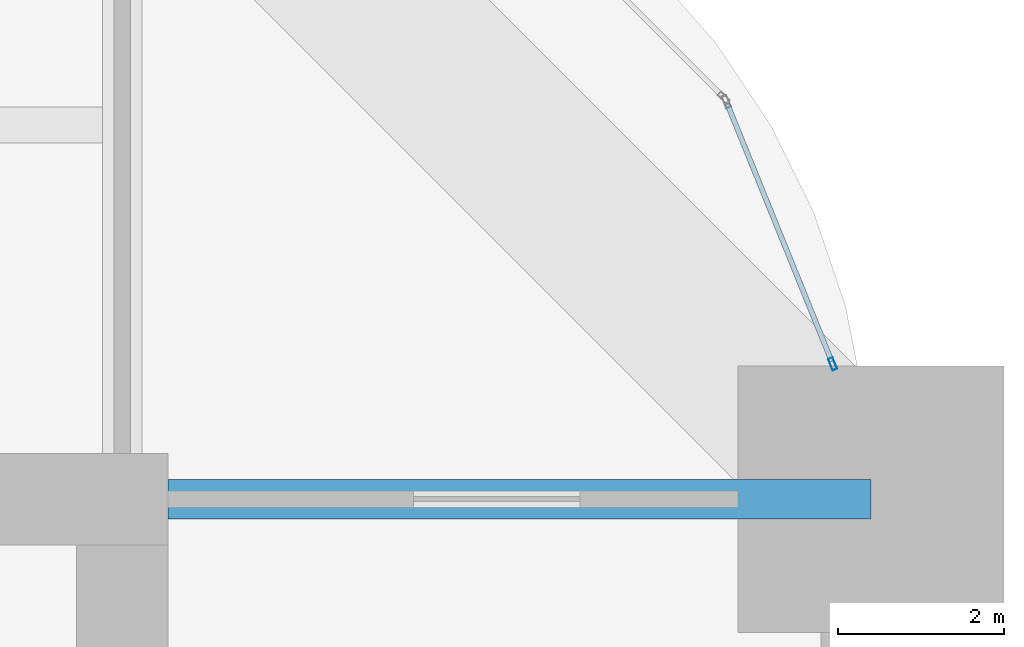
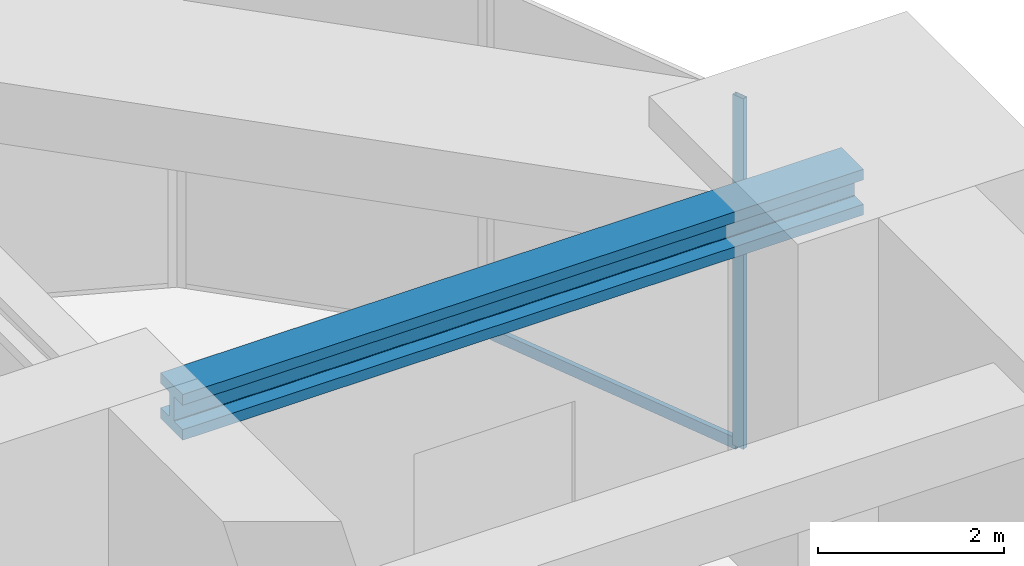
# One storey, part 26 of 32: 2 members, 1 beam, 1 element without a shape of its own.
"""IFC4 building model written with IfcOpenShell, lengths in metres."""

import ifcopenshell
import ifcopenshell.guid

model = None  # the IFC model being written
_history = None  # IfcOwnerHistory: only IFC2X3 demands one
_inside = {}  # id of a spatial element -> (the spatial element, [elements in it])
_under = {}  # id of a project, library or spatial element -> (it, [spatial elements below it])
_declared = {}  # id of a project -> (the project, [libraries it declares])
_typed = {}  # id of a type object -> (the type object, [elements of that type])
_made_of = {}  # id of a material, layer set ... -> (it, [elements and type objects made of it])


def new_model(schema):
    """Start an empty IFC model of exactly this schema.

    Asked for "IFC4X3", IfcOpenShell would pick the latest addendum, in which some entities
    have other attributes; the version numbers below select the first issue.
    IFC2X3 requires an IfcOwnerHistory on every rooted entity: one is made here for all.
    """
    global model, _history
    if schema == "IFC4X3":
        model = ifcopenshell.file(schema_version=(4, 3, 0, 0))
    else:
        model = ifcopenshell.file(schema=schema)
    _inside.clear()
    _under.clear()
    _declared.clear()
    _typed.clear()
    _made_of.clear()
    _history = None
    if model.schema == "IFC2X3":
        org = make("IfcOrganization", Name="unknown")
        user = make(
            "IfcPersonAndOrganization",
            ThePerson=make("IfcPerson", FamilyName="unknown"),
            TheOrganization=org,
        )
        app = make(
            "IfcApplication",
            ApplicationDeveloper=org,
            Version="unknown",
            ApplicationFullName="unknown",
            ApplicationIdentifier="unknown",
        )
        _history = make(
            "IfcOwnerHistory",
            OwningUser=user,
            OwningApplication=app,
            ChangeAction="ADDED",
            CreationDate=0,
        )
    return model


def make(cls, **values):
    """One entity of the class cls with the attributes given. An attribute that is None is left unset."""
    return model.create_entity(
        cls, **{name: value for name, value in values.items() if value is not None}
    )


def rooted(cls, **values):
    """An entity with a GlobalId (a new one), such as an element, a storey or a relation."""
    return make(cls, GlobalId=ifcopenshell.guid.new(), OwnerHistory=_history, **values)


def si_unit(unit_type, name, prefix=None):
    """IfcSIUnit, for example si_unit("LENGTHUNIT", "METRE", prefix="MILLI")."""
    return make("IfcSIUnit", UnitType=unit_type, Prefix=prefix, Name=name)


def assignment(units):
    """IfcUnitAssignment: the units of a project."""
    return None if units is None else make("IfcUnitAssignment", Units=units)


def point(xyz):
    """IfcCartesianPoint."""
    return None if xyz is None else make("IfcCartesianPoint", Coordinates=xyz)


def direction(xyz):
    """IfcDirection."""
    return None if xyz is None else make("IfcDirection", DirectionRatios=xyz)


def frame(location, z_axis=None, x_axis=None):
    """IfcAxis2Placement3D, a coordinate frame: its origin and axes. An axis left out is left unset."""
    return make(
        "IfcAxis2Placement3D",
        Location=point(location),
        Axis=direction(z_axis),
        RefDirection=direction(x_axis),
    )


def frame_2d(location, x_axis=None):
    """IfcAxis2Placement2D, a coordinate frame in the plane: its origin and x axis."""
    return make(
        "IfcAxis2Placement2D", Location=point(location), RefDirection=direction(x_axis)
    )


def origin():
    """The frame at (0, 0, 0) with its axes left unset."""
    return frame((0.0, 0.0, 0.0))


def origin_2d():
    """The frame at (0, 0) in the plane with its x axis left unset."""
    return frame_2d((0.0, 0.0))


def place(relative_to, where):
    """IfcLocalPlacement: puts the frame where relative to a parent placement (None: the world)."""
    return make(
        "IfcLocalPlacement", PlacementRelTo=relative_to, RelativePlacement=where
    )


def context(
    kind, dimensions, precision=None, world=None, true_north=None, identifier=None
):
    """IfcGeometricRepresentationContext, for example the 3D "Model" context."""
    return make(
        "IfcGeometricRepresentationContext",
        ContextIdentifier=identifier,
        ContextType=kind,
        CoordinateSpaceDimension=dimensions,
        Precision=precision,
        WorldCoordinateSystem=world,
        TrueNorth=true_north,
    )


def subcontext(parent, identifier, kind, view, scale=None):
    """IfcGeometricRepresentationSubContext, for example "Body" below "Model"."""
    return make(
        "IfcGeometricRepresentationSubContext",
        ContextIdentifier=identifier,
        ContextType=kind,
        ParentContext=parent,
        TargetScale=scale,
        TargetView=view,
    )


def project(units=None, contexts=None):
    """IfcProject with its units and contexts."""
    return rooted(
        "IfcProject",
        Name="project",
        RepresentationContexts=contexts,
        UnitsInContext=assignment(units),
    )


def spatial(cls, under=None, at=None, **own):
    """A site, building, storey or space (cls), placed at a placement, below another one or the project."""
    s = rooted(cls, ObjectPlacement=at, **own)
    if under is not None:
        _under.setdefault(under.id(), (under, []))[1].append(s)
    return s


def profile(cls, at=None, kind="AREA", **sizes):
    """A parametric profile (cls). Its sizes go by their IFC names, for example OverallWidth=200.0."""
    return make(cls, ProfileType=kind, Position=at, **sizes)


def hollow_rectangle(**sizes):
    """IfcRectangleHollowProfileDef."""
    return profile("IfcRectangleHollowProfileDef", **sizes)


def i_section(**sizes):
    """IfcIShapeProfileDef."""
    return profile("IfcIShapeProfileDef", **sizes)


def extrude(swept, where, along, depth):
    """IfcExtrudedAreaSolid: the profile swept, set in the frame where, extruded along a direction by depth."""
    return make(
        "IfcExtrudedAreaSolid",
        SweptArea=swept,
        Position=where,
        ExtrudedDirection=direction(along),
        Depth=depth,
    )


def shape(context_of_items, identifier, shape_type, items):
    """IfcShapeRepresentation: the items that make up one representation, for example the "Body"."""
    return make(
        "IfcShapeRepresentation",
        ContextOfItems=context_of_items,
        RepresentationIdentifier=identifier,
        RepresentationType=shape_type,
        Items=items,
    )


def material(Name=None, Category=None):
    """IfcMaterial."""
    return make("IfcMaterial", Name=Name, Category=Category)


def material_profile(
    of_material, cross_section, Name=None, Category=None, Priority=None
):
    """IfcMaterialProfile: a cross section and its material."""
    return make(
        "IfcMaterialProfile",
        Name=Name,
        Material=of_material,
        Profile=cross_section,
        Priority=Priority,
        Category=Category,
    )


def profile_set(profiles, Name=None, composite=None):
    """IfcMaterialProfileSet."""
    return make(
        "IfcMaterialProfileSet",
        Name=Name,
        MaterialProfiles=profiles,
        CompositeProfile=composite,
    )


def made_of(thing, what):
    """Note that an element or type object is made of a material, layer set ...; save() writes the relation."""
    if what is not None:
        _made_of.setdefault(what.id(), (what, []))[1].append(thing)
    return thing


def type_object(cls, material=None, **own):
    """A type object (cls), such as IfcWallType, which elements share."""
    return made_of(rooted(cls, **own), material)


def element(
    cls,
    number,
    at=None,
    inside=None,
    cuts=None,
    type_object=None,
    material=None,
    context=None,
    identifier="Body",
    shape_type=None,
    held_by="IfcProductDefinitionShape",
    body=None,
    shapes=None,
    **own,
):
    """One element of the class cls, such as IfcWall. Its Tag is "e" and its number.

    at: its placement. inside: the storey or other place that contains it. cuts: it is an
    opening in that element (IfcRelVoidsElement). A single representation is given by context,
    identifier, shape_type and body (its items); several are given by shapes. held_by: the class
    of the entity that holds the representations. save() writes the other relations.
    """
    e = rooted(cls, Tag="e%d" % number, ObjectPlacement=at, **own)
    if body is not None:
        shapes = [shape(context, identifier, shape_type, body)]
    if shapes is not None:
        e.Representation = make(held_by, Representations=shapes)
    if inside is not None:
        _inside.setdefault(inside.id(), (inside, []))[1].append(e)
    if cuts is not None:
        rooted(
            "IfcRelVoidsElement", RelatingBuildingElement=cuts, RelatedOpeningElement=e
        )
    if type_object is not None:
        _typed.setdefault(type_object.id(), (type_object, []))[1].append(e)
    return made_of(e, material)


def aggregate(whole, parts):
    """IfcRelAggregates: a whole, such as a stair, and the parts it consists of."""
    return rooted("IfcRelAggregates", RelatingObject=whole, RelatedObjects=parts)


def save(model, path):
    """Write the relations noted so far, then the file.

    IfcRelAggregates (storeys below a building ...), IfcRelContainedInSpatialStructure (elements
    in a storey), IfcRelDefinesByType, IfcRelAssociatesMaterial and IfcRelDeclares: one each for
    every whole, place, type object, material and project.
    """
    for whole, parts in _under.values():
        aggregate(whole, parts)
    for where, things in _inside.values():
        rooted(
            "IfcRelContainedInSpatialStructure",
            RelatedElements=things,
            RelatingStructure=where,
        )
    for kind, things in _typed.values():
        rooted("IfcRelDefinesByType", RelatedObjects=things, RelatingType=kind)
    for what, things in _made_of.values():
        rooted("IfcRelAssociatesMaterial", RelatedObjects=things, RelatingMaterial=what)
    for by, libraries in _declared.values():
        rooted("IfcRelDeclares", RelatingContext=by, RelatedDefinitions=libraries)
    model.write(path)


model = new_model("IFC4")

# Units and contexts
model_context = context("Model", 3, precision=1e-05, world=origin(), true_north=direction((0.0, 1.0)))
body_context = subcontext(model_context, "Body", "Model", "MODEL_VIEW")
ifc_project = project(units=[si_unit("LENGTHUNIT", "METRE"), si_unit("AREAUNIT", "SQUARE_METRE"), si_unit("VOLUMEUNIT", "CUBIC_METRE"), si_unit("PLANEANGLEUNIT", "RADIAN"), si_unit("MASSUNIT", "GRAM", prefix="KILO")], contexts=[model_context])

# Site, building, storey
site_placement = place(None, origin())
site = spatial("IfcSite", under=ifc_project, at=site_placement, CompositionType="ELEMENT")
building_placement = place(site_placement, origin())
building = spatial("IfcBuilding", under=site, at=building_placement, Name="Zorevar Civic Tower", CompositionType="ELEMENT")
storey_placement = place(building_placement, frame((0.0, 0.0, 234.39990234375)))
storey = spatial("IfcBuildingStorey", under=building, at=storey_placement, Name="L57", CompositionType="ELEMENT", Elevation=234.39990234375)

# Curtain wall, members
ifc_material_1 = material(Name="Black aluminium louvres", Category="aluminium")
curtain_wall_type = type_object("IfcCurtainWallType", Name="Louvred curtain wall CW6 refuge", PredefinedType="NOTDEFINED", material=ifc_material_1)
curtain_wall_placement = place(storey_placement, origin())
curtain_wall = element("IfcCurtainWall", 1, at=curtain_wall_placement, inside=storey, type_object=curtain_wall_type, Name="CW6 L57", PredefinedType="NOTDEFINED")
ifc_material_2 = material(Name="Aluminium, black anodised", Category="aluminium")
ifc_material_profile_1 = material_profile(ifc_material_2, hollow_rectangle(XDim=0.06005859375, YDim=0.14990234375, WallThickness=0.00390625, at=origin_2d()), Name="AL 150x60x4")
ifc_profile_set_1 = profile_set([ifc_material_profile_1], Name="Aluminium, black anodised")
member_type_1 = type_object("IfcMemberType", Name="CW6 mullion AL 150x60x4", PredefinedType="MULLION", material=ifc_profile_set_1)
member_1_placement = place(storey_placement, frame((53.540283203125, 37.627685546875, 0.0), z_axis=(0.0, 0.0, 1.0), x_axis=(-0.926761540227, -0.375650166453, 0.0)))
member_1 = element("IfcMember", 2, at=member_1_placement, type_object=member_type_1, Name="CW6 mullion 1", PredefinedType="MULLION", context=body_context, shape_type="SweptSolid", body=[
    extrude(hollow_rectangle(XDim=0.06005859375, YDim=0.14990234375, WallThickness=0.00390625, at=origin_2d()), origin(), (0.0, 0.0, 1.0), 4.60009765625),
])
ifc_material_3 = material(Name="Aluminium, black anodised", Category="aluminium")
ifc_material_profile_2 = material_profile(ifc_material_3, hollow_rectangle(XDim=0.06005859375, YDim=0.14990234375, WallThickness=0.00390625, at=origin_2d()), Name="AL 150x60x4")
ifc_profile_set_2 = profile_set([ifc_material_profile_2], Name="Aluminium, black anodised")
member_type_2 = type_object("IfcMemberType", Name="CW6 transom AL 150x60x4", PredefinedType="USERDEFINED", material=ifc_profile_set_2)
member_2_placement = place(storey_placement, frame((53.529052734375, 37.655517578125, 0.030029296875), z_axis=(-0.375647407638, 0.92676265847, 0.0), x_axis=(-0.92676265847, -0.375647407638, 0.0)))
member_2 = element("IfcMember", 3, at=member_2_placement, type_object=member_type_2, Name="CW6 sill transom", ObjectType="TRANSOM", PredefinedType="USERDEFINED", context=body_context, shape_type="SweptSolid", body=[
    extrude(hollow_rectangle(XDim=0.06005859375, YDim=0.14990234375, WallThickness=0.00390625, at=origin_2d()), origin(), (0.0, 0.0, 1.0), 3.33935546875),
])
aggregate(curtain_wall, [member_1, member_2])

# Beam
ifc_material_4 = material(Name="Steel S460M (HISTAR 460)", Category="steel")
ifc_material_profile_3 = material_profile(ifc_material_4, i_section(OverallWidth=0.47607421875, OverallDepth=0.60009765625, WebThickness=0.10009765625, FlangeThickness=0.139892578125, FilletRadius=0.014892578125, at=origin_2d()), Name="HD 400x1299")
ifc_profile_set_3 = profile_set([ifc_material_profile_3], Name="Steel S460M (HISTAR 460)")
beam_type = type_object("IfcBeamType", Name="Outrigger chord HD 400x1299", PredefinedType="BEAM", material=ifc_profile_set_3)
beam_placement = place(storey_placement, frame((45.550048828125, 36.0, 4.300048828125), z_axis=(1.0, 0.0, 0.0), x_axis=(0.0, 1.0, 0.0)))
element("IfcBeam", 4, at=beam_placement, inside=storey, type_object=beam_type, Name="Outrigger chord L58", PredefinedType="BEAM", context=body_context, shape_type="SweptSolid", body=[
    extrude(i_section(OverallWidth=0.47607421875, OverallDepth=0.60009765625, WebThickness=0.10009765625, FlangeThickness=0.139892578125, FilletRadius=0.014892578125, at=origin_2d()), origin(), (0.0, 0.0, 1.0), 8.449951171875),
])

save(model, "model.ifc")
